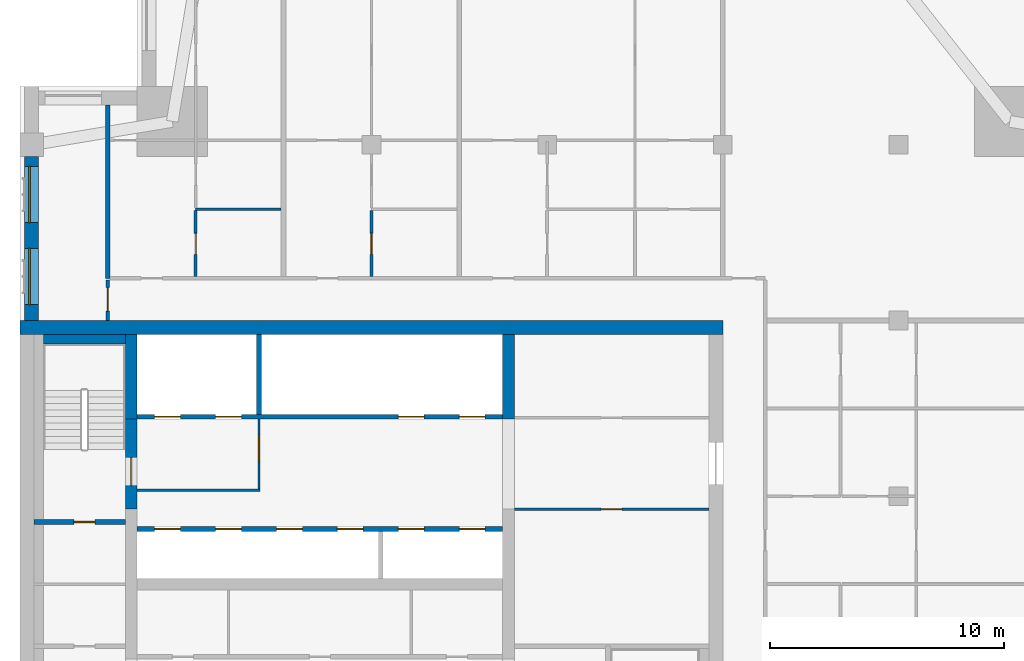
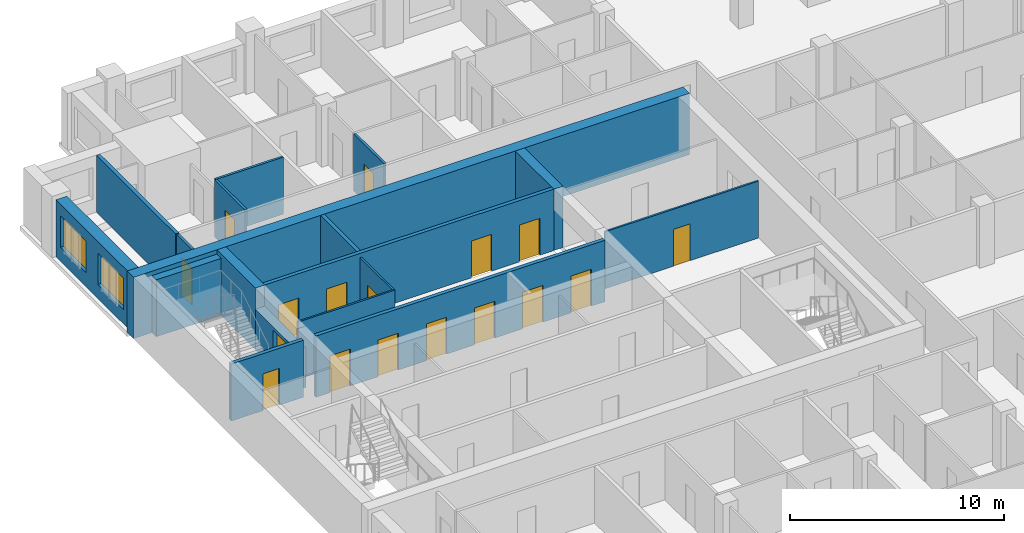
# One storey, part 6 of 11: 18 walls, 17 doors, 2 windows, 19 openings.
"""IFC4 building model written with IfcOpenShell, lengths in metres."""

import ifcopenshell
import ifcopenshell.guid

model = None  # the IFC model being written
_history = None  # IfcOwnerHistory: only IFC2X3 demands one
_inside = {}  # id of a spatial element -> (the spatial element, [elements in it])
_under = {}  # id of a project, library or spatial element -> (it, [spatial elements below it])
_declared = {}  # id of a project -> (the project, [libraries it declares])
_typed = {}  # id of a type object -> (the type object, [elements of that type])
_made_of = {}  # id of a material, layer set ... -> (it, [elements and type objects made of it])


def new_model(schema):
    """Start an empty IFC model of exactly this schema.

    Asked for "IFC4X3", IfcOpenShell would pick the latest addendum, in which some entities
    have other attributes; the version numbers below select the first issue.
    IFC2X3 requires an IfcOwnerHistory on every rooted entity: one is made here for all.
    """
    global model, _history
    if schema == "IFC4X3":
        model = ifcopenshell.file(schema_version=(4, 3, 0, 0))
    else:
        model = ifcopenshell.file(schema=schema)
    _inside.clear()
    _under.clear()
    _declared.clear()
    _typed.clear()
    _made_of.clear()
    _history = None
    if model.schema == "IFC2X3":
        org = make("IfcOrganization", Name="unknown")
        user = make(
            "IfcPersonAndOrganization",
            ThePerson=make("IfcPerson", FamilyName="unknown"),
            TheOrganization=org,
        )
        app = make(
            "IfcApplication",
            ApplicationDeveloper=org,
            Version="unknown",
            ApplicationFullName="unknown",
            ApplicationIdentifier="unknown",
        )
        _history = make(
            "IfcOwnerHistory",
            OwningUser=user,
            OwningApplication=app,
            ChangeAction="ADDED",
            CreationDate=0,
        )
    return model


def make(cls, **values):
    """One entity of the class cls with the attributes given. An attribute that is None is left unset."""
    return model.create_entity(
        cls, **{name: value for name, value in values.items() if value is not None}
    )


def rooted(cls, **values):
    """An entity with a GlobalId (a new one), such as an element, a storey or a relation."""
    return make(cls, GlobalId=ifcopenshell.guid.new(), OwnerHistory=_history, **values)


def si_unit(unit_type, name, prefix=None):
    """IfcSIUnit, for example si_unit("LENGTHUNIT", "METRE", prefix="MILLI")."""
    return make("IfcSIUnit", UnitType=unit_type, Prefix=prefix, Name=name)


def assignment(units):
    """IfcUnitAssignment: the units of a project."""
    return None if units is None else make("IfcUnitAssignment", Units=units)


def point(xyz):
    """IfcCartesianPoint."""
    return None if xyz is None else make("IfcCartesianPoint", Coordinates=xyz)


def direction(xyz):
    """IfcDirection."""
    return None if xyz is None else make("IfcDirection", DirectionRatios=xyz)


def frame(location, z_axis=None, x_axis=None):
    """IfcAxis2Placement3D, a coordinate frame: its origin and axes. An axis left out is left unset."""
    return make(
        "IfcAxis2Placement3D",
        Location=point(location),
        Axis=direction(z_axis),
        RefDirection=direction(x_axis),
    )


def frame_2d(location, x_axis=None):
    """IfcAxis2Placement2D, a coordinate frame in the plane: its origin and x axis."""
    return make(
        "IfcAxis2Placement2D", Location=point(location), RefDirection=direction(x_axis)
    )


def origin():
    """The frame at (0, 0, 0) with its axes left unset."""
    return frame((0.0, 0.0, 0.0))


def place(relative_to, where):
    """IfcLocalPlacement: puts the frame where relative to a parent placement (None: the world)."""
    return make(
        "IfcLocalPlacement", PlacementRelTo=relative_to, RelativePlacement=where
    )


def context(
    kind, dimensions, precision=None, world=None, true_north=None, identifier=None
):
    """IfcGeometricRepresentationContext, for example the 3D "Model" context."""
    return make(
        "IfcGeometricRepresentationContext",
        ContextIdentifier=identifier,
        ContextType=kind,
        CoordinateSpaceDimension=dimensions,
        Precision=precision,
        WorldCoordinateSystem=world,
        TrueNorth=true_north,
    )


def subcontext(parent, identifier, kind, view, scale=None):
    """IfcGeometricRepresentationSubContext, for example "Body" below "Model"."""
    return make(
        "IfcGeometricRepresentationSubContext",
        ContextIdentifier=identifier,
        ContextType=kind,
        ParentContext=parent,
        TargetScale=scale,
        TargetView=view,
    )


def project(units=None, contexts=None):
    """IfcProject with its units and contexts."""
    return rooted(
        "IfcProject",
        Name="project",
        RepresentationContexts=contexts,
        UnitsInContext=assignment(units),
    )


def spatial(cls, under=None, at=None, **own):
    """A site, building, storey or space (cls), placed at a placement, below another one or the project."""
    s = rooted(cls, ObjectPlacement=at, **own)
    if under is not None:
        _under.setdefault(under.id(), (under, []))[1].append(s)
    return s


def profile(cls, at=None, kind="AREA", **sizes):
    """A parametric profile (cls). Its sizes go by their IFC names, for example OverallWidth=200.0."""
    return make(cls, ProfileType=kind, Position=at, **sizes)


def rectangle(**sizes):
    """IfcRectangleProfileDef."""
    return profile("IfcRectangleProfileDef", **sizes)


def extrude(swept, where, along, depth):
    """IfcExtrudedAreaSolid: the profile swept, set in the frame where, extruded along a direction by depth."""
    return make(
        "IfcExtrudedAreaSolid",
        SweptArea=swept,
        Position=where,
        ExtrudedDirection=direction(along),
        Depth=depth,
    )


def shape(context_of_items, identifier, shape_type, items):
    """IfcShapeRepresentation: the items that make up one representation, for example the "Body"."""
    return make(
        "IfcShapeRepresentation",
        ContextOfItems=context_of_items,
        RepresentationIdentifier=identifier,
        RepresentationType=shape_type,
        Items=items,
    )


def material(Name=None, Category=None):
    """IfcMaterial."""
    return make("IfcMaterial", Name=Name, Category=Category)


def layer(
    of_material, thickness, ventilated=None, Name=None, Category=None, Priority=None
):
    """IfcMaterialLayer: one layer of a wall or slab, of a material (None: an air gap)."""
    return make(
        "IfcMaterialLayer",
        Material=of_material,
        LayerThickness=thickness,
        IsVentilated=ventilated,
        Name=Name,
        Category=Category,
        Priority=Priority,
    )


def layer_set(layers, Name=None):
    """IfcMaterialLayerSet."""
    return make("IfcMaterialLayerSet", MaterialLayers=layers, LayerSetName=Name)


def made_of(thing, what):
    """Note that an element or type object is made of a material, layer set ...; save() writes the relation."""
    if what is not None:
        _made_of.setdefault(what.id(), (what, []))[1].append(thing)
    return thing


def type_object(cls, material=None, **own):
    """A type object (cls), such as IfcWallType, which elements share."""
    return made_of(rooted(cls, **own), material)


def element(
    cls,
    number,
    at=None,
    inside=None,
    cuts=None,
    type_object=None,
    material=None,
    context=None,
    identifier="Body",
    shape_type=None,
    held_by="IfcProductDefinitionShape",
    body=None,
    shapes=None,
    **own,
):
    """One element of the class cls, such as IfcWall. Its Tag is "e" and its number.

    at: its placement. inside: the storey or other place that contains it. cuts: it is an
    opening in that element (IfcRelVoidsElement). A single representation is given by context,
    identifier, shape_type and body (its items); several are given by shapes. held_by: the class
    of the entity that holds the representations. save() writes the other relations.
    """
    e = rooted(cls, Tag="e%d" % number, ObjectPlacement=at, **own)
    if body is not None:
        shapes = [shape(context, identifier, shape_type, body)]
    if shapes is not None:
        e.Representation = make(held_by, Representations=shapes)
    if inside is not None:
        _inside.setdefault(inside.id(), (inside, []))[1].append(e)
    if cuts is not None:
        rooted(
            "IfcRelVoidsElement", RelatingBuildingElement=cuts, RelatedOpeningElement=e
        )
    if type_object is not None:
        _typed.setdefault(type_object.id(), (type_object, []))[1].append(e)
    return made_of(e, material)


def fill(opening, filler):
    """IfcRelFillsElement: the door or window that sits in an opening."""
    return rooted(
        "IfcRelFillsElement",
        RelatingOpeningElement=opening,
        RelatedBuildingElement=filler,
    )


def aggregate(whole, parts):
    """IfcRelAggregates: a whole, such as a stair, and the parts it consists of."""
    return rooted("IfcRelAggregates", RelatingObject=whole, RelatedObjects=parts)


def save(model, path):
    """Write the relations noted so far, then the file.

    IfcRelAggregates (storeys below a building ...), IfcRelContainedInSpatialStructure (elements
    in a storey), IfcRelDefinesByType, IfcRelAssociatesMaterial and IfcRelDeclares: one each for
    every whole, place, type object, material and project.
    """
    for whole, parts in _under.values():
        aggregate(whole, parts)
    for where, things in _inside.values():
        rooted(
            "IfcRelContainedInSpatialStructure",
            RelatedElements=things,
            RelatingStructure=where,
        )
    for kind, things in _typed.values():
        rooted("IfcRelDefinesByType", RelatedObjects=things, RelatingType=kind)
    for what, things in _made_of.values():
        rooted("IfcRelAssociatesMaterial", RelatedObjects=things, RelatingMaterial=what)
    for by, libraries in _declared.values():
        rooted("IfcRelDeclares", RelatingContext=by, RelatedDefinitions=libraries)
    model.write(path)


model = new_model("IFC4")

# Units and contexts
model_context = context("Model", 3, precision=1e-05, world=origin(), true_north=direction((0.0, 1.0)))
body_context = subcontext(model_context, "Body", "Model", "MODEL_VIEW")
ifc_project = project(units=[si_unit("LENGTHUNIT", "METRE"), si_unit("AREAUNIT", "SQUARE_METRE"), si_unit("VOLUMEUNIT", "CUBIC_METRE"), si_unit("PLANEANGLEUNIT", "RADIAN"), si_unit("MASSUNIT", "GRAM", prefix="KILO")], contexts=[model_context])

# Site, building, storey
site_placement = place(None, origin())
site = spatial("IfcSite", under=ifc_project, at=site_placement, CompositionType="ELEMENT")
building_placement = place(site_placement, origin())
building = spatial("IfcBuilding", under=site, at=building_placement, Name="Tamorin Gate", CompositionType="ELEMENT")
storey_placement = place(building_placement, frame((0.0, 0.0, 247.699951171875)))
storey = spatial("IfcBuildingStorey", under=building, at=storey_placement, Name="L62", CompositionType="ELEMENT", Elevation=247.699951171875)

# Wall, openings, windows
ifc_material_1 = material(Name="Precast concrete C40/50", Category="concrete")
ifc_layer_1 = layer(ifc_material_1, 0.60009765625)
ifc_layer_set_1 = layer_set([ifc_layer_1], Name="Precast concrete C40/50")
wall_type_1 = type_object("IfcWallType", Name="Board-marked concrete facade panel 600", PredefinedType="SOLIDWALL", material=ifc_layer_set_1)
wall_1_placement = place(storey_placement, frame((30.5, 89.5, 0.0), z_axis=(0.0, 0.0, 1.0), x_axis=(0.0, -1.0, 0.0)))
wall_1 = element("IfcWall", 1, at=wall_1_placement, inside=storey, type_object=wall_type_1, Name="Facade panel", PredefinedType="SOLIDWALL", context=body_context, shape_type="SweptSolid", body=[
    extrude(rectangle(XDim=7.0, YDim=0.60009765625, at=frame_2d((3.5, 0.0))), origin(), (0.0, 0.0, 1.0), 3.25),
])
opening_1_placement = place(wall_1_placement, frame((3.925048828125, 0.0, 0.800048828125)))
opening_1 = element("IfcOpeningElement", 2, at=opening_1_placement, cuts=wall_1, Name="Opening WN1", PredefinedType="OPENING", context=body_context, shape_type="SweptSolid", body=[
    extrude(rectangle(XDim=2.39990234375, YDim=1.800048828125, at=frame_2d((1.199951171875, 0.89990234375))), frame((0.0, 0.31005859375, 0.0), z_axis=(0.0, -1.0, 0.0), x_axis=(1.0, 0.0, 0.0)), (0.0, 0.0, 1.0), 0.6201171875),
])
opening_2_placement = place(wall_1_placement, frame((0.425048828125, 0.0, 0.800048828125)))
opening_2 = element("IfcOpeningElement", 3, at=opening_2_placement, cuts=wall_1, Name="Opening WN1", PredefinedType="OPENING", context=body_context, shape_type="SweptSolid", body=[
    extrude(rectangle(XDim=2.39990234375, YDim=1.800048828125, at=frame_2d((1.199951171875, 0.89990234375))), frame((0.0, 0.31005859375, 0.0), z_axis=(0.0, -1.0, 0.0), x_axis=(1.0, 0.0, 0.0)), (0.0, 0.0, 1.0), 0.6201171875),
])
ifc_material_2 = material(Name="Clear glass in aluminium frame", Category="aluminium")
window_type = type_object("IfcWindowType", Name="Deep-set window 2400x1800", PartitioningType="SINGLE_PANEL", PredefinedType="WINDOW", material=ifc_material_2)
window_1_placement = place(opening_1_placement, origin())
window_1 = element("IfcWindow", 4, at=window_1_placement, inside=storey, type_object=window_type, Name="Deep-set window", OverallHeight=1.800048828125, OverallWidth=2.39990234375, PartitioningType="SINGLE_PANEL", PredefinedType="WINDOW", context=body_context, shape_type="SweptSolid", body=[
    extrude(rectangle(XDim=2.39990234375, YDim=1.800048828125, at=frame_2d((1.199951171875, 0.89990234375))), frame((0.0, -0.070068359375, 0.0), z_axis=(0.0, -1.0, 0.0), x_axis=(1.0, 0.0, 0.0)), (0.0, 0.0, 1.0), 0.06005859375),
])
fill(opening_1, window_1)
window_2_placement = place(opening_2_placement, origin())
window_2 = element("IfcWindow", 5, at=window_2_placement, inside=storey, type_object=window_type, Name="Deep-set window", OverallHeight=1.800048828125, OverallWidth=2.39990234375, PartitioningType="SINGLE_PANEL", PredefinedType="WINDOW", context=body_context, shape_type="SweptSolid", body=[
    extrude(rectangle(XDim=2.39990234375, YDim=1.800048828125, at=frame_2d((1.199951171875, 0.89990234375))), frame((0.0, -0.070068359375, 0.0), z_axis=(0.0, -1.0, 0.0), x_axis=(1.0, 0.0, 0.0)), (0.0, 0.0, 1.0), 0.06005859375),
])
fill(opening_2, window_2)

# Wall, opening, door
ifc_material_3 = material(Name="Gypsum board partition")
ifc_layer_2 = layer(ifc_material_3, 0.14990234375)
ifc_layer_set_2 = layer_set([ifc_layer_2], Name="Corridor wall 150")
wall_type_2 = type_object("IfcWallType", Name="Corridor wall 150", PredefinedType="PARTITIONING", material=ifc_layer_set_2)
wall_2_placement = place(storey_placement, frame((33.75, 82.5, 0.0), z_axis=(0.0, 0.0, 1.0), x_axis=(0.0, 1.0, 0.0)))
wall_2 = element("IfcWall", 6, at=wall_2_placement, inside=storey, type_object=wall_type_2, Name="Corridor wall 150", PredefinedType="PARTITIONING", context=body_context, shape_type="SweptSolid", body=[
    extrude(rectangle(XDim=1.72509765625, YDim=0.14990234375, at=frame_2d((0.862548828125, 0.0))), origin(), (0.0, 0.0, 1.0), 3.25),
])
opening_3_placement = place(wall_2_placement, frame((0.39990234375, 0.0, 0.0)))
opening_3 = element("IfcOpeningElement", 7, at=opening_3_placement, cuts=wall_2, Name="Opening DR8026", PredefinedType="OPENING", context=body_context, shape_type="SweptSolid", body=[
    extrude(rectangle(XDim=1.0, YDim=2.10009765625, at=frame_2d((0.5, 1.050048828125))), frame((0.0, 0.0849609375, 0.0), z_axis=(0.0, -1.0, 0.0), x_axis=(1.0, 0.0, 0.0)), (0.0, 0.0, 1.0), 0.169921875),
])
ifc_material_4 = material(Name="Timber door leaf", Category="wood")
door_type_1 = type_object("IfcDoorType", Name="Door 1000 x 2100 FD30S", OperationType="NOTDEFINED", PredefinedType="DOOR", material=ifc_material_4)
door_1_placement = place(opening_3_placement, origin())
door_1 = element("IfcDoor", 8, at=door_1_placement, inside=storey, type_object=door_type_1, Name="Door DR8026", OperationType="SINGLE_SWING_LEFT", OverallHeight=2.10009765625, OverallWidth=1.0, PredefinedType="DOOR", context=body_context, shape_type="SweptSolid", body=[
    extrude(rectangle(XDim=1.0, YDim=2.10009765625, at=frame_2d((0.5, 1.050048828125))), frame((0.0, 0.02490234375, 0.0), z_axis=(0.0, -1.0, 0.0), x_axis=(1.0, 0.0, 0.0)), (0.0, 0.0, 1.0), 0.050048828125),
])
fill(opening_3, door_1)

# Wall
ifc_layer_3 = layer(ifc_material_3, 0.199951171875)
ifc_layer_set_3 = layer_set([ifc_layer_3], Name="Demising wall 200")
wall_type_3 = type_object("IfcWallType", Name="Demising wall 200", PredefinedType="PARTITIONING", material=ifc_layer_set_3)
wall_3_placement = place(storey_placement, frame((33.75, 84.300048828125, 0.0), z_axis=(0.0, 0.0, 1.0), x_axis=(0.0, 1.0, 0.0)))
element("IfcWall", 9, at=wall_3_placement, inside=storey, type_object=wall_type_3, Name="Demising wall 200", PredefinedType="PARTITIONING", context=body_context, shape_type="SweptSolid", body=[
    extrude(rectangle(XDim=7.389892578125, YDim=0.199951171875, at=frame_2d((3.69482421875, 0.0))), origin(), (0.0, 0.0, 1.0), 3.25),
])

# Wall, openings, doors
ifc_material_5 = material(Name="Concrete C32/40", Category="concrete")
ifc_layer_4 = layer(ifc_material_5, 0.199951171875)
ifc_layer_set_4 = layer_set([ifc_layer_4], Name="Lift lobby face wall 200 EI 120")
wall_type_4 = type_object("IfcWallType", Name="Lift lobby face wall 200 EI 120", PredefinedType="SOLIDWALL", material=ifc_layer_set_4)
wall_4_placement = place(storey_placement, frame((35.0, 73.60009765625, 0.0), z_axis=(0.0, 0.0, 1.0), x_axis=(1.0, 0.0, 0.0)))
wall_4 = element("IfcWall", 10, at=wall_4_placement, inside=storey, type_object=wall_type_4, Name="Lift lobby face wall", PredefinedType="SOLIDWALL", context=body_context, shape_type="SweptSolid", body=[
    extrude(rectangle(XDim=15.60009765625, YDim=0.199951171875, at=frame_2d((7.800048828125, 0.0))), origin(), (0.0, 0.0, 1.0), 3.5),
])
opening_4_placement = place(wall_4_placement, frame((0.75, 0.0, 0.0)))
opening_4 = element("IfcOpeningElement", 11, at=opening_4_placement, cuts=wall_4, Name="Opening LD11", PredefinedType="OPENING", context=body_context, shape_type="SweptSolid", body=[
    extrude(rectangle(XDim=1.10009765625, YDim=2.10009765625, at=frame_2d((0.550048828125, 1.050048828125))), frame((0.0, 0.10986328125, 0.0), z_axis=(0.0, -1.0, 0.0), x_axis=(1.0, 0.0, 0.0)), (0.0, 0.0, 1.0), 0.219970703125),
])
opening_5_placement = place(wall_4_placement, frame((3.35009765625, 0.0, 0.0)))
opening_5 = element("IfcOpeningElement", 12, at=opening_5_placement, cuts=wall_4, Name="Opening LD12", PredefinedType="OPENING", context=body_context, shape_type="SweptSolid", body=[
    extrude(rectangle(XDim=1.10009765625, YDim=2.10009765625, at=frame_2d((0.550048828125, 1.050048828125))), frame((0.0, 0.10986328125, 0.0), z_axis=(0.0, -1.0, 0.0), x_axis=(1.0, 0.0, 0.0)), (0.0, 0.0, 1.0), 0.219970703125),
])
opening_6_placement = place(wall_4_placement, frame((5.949951171875, 0.0, 0.0)))
opening_6 = element("IfcOpeningElement", 13, at=opening_6_placement, cuts=wall_4, Name="Opening LD13", PredefinedType="OPENING", context=body_context, shape_type="SweptSolid", body=[
    extrude(rectangle(XDim=1.10009765625, YDim=2.10009765625, at=frame_2d((0.550048828125, 1.050048828125))), frame((0.0, 0.10986328125, 0.0), z_axis=(0.0, -1.0, 0.0), x_axis=(1.0, 0.0, 0.0)), (0.0, 0.0, 1.0), 0.219970703125),
])
opening_7_placement = place(wall_4_placement, frame((8.550048828125, 0.0, 0.0)))
opening_7 = element("IfcOpeningElement", 14, at=opening_7_placement, cuts=wall_4, Name="Opening LD14", PredefinedType="OPENING", context=body_context, shape_type="SweptSolid", body=[
    extrude(rectangle(XDim=1.10009765625, YDim=2.10009765625, at=frame_2d((0.550048828125, 1.050048828125))), frame((0.0, 0.10986328125, 0.0), z_axis=(0.0, -1.0, 0.0), x_axis=(1.0, 0.0, 0.0)), (0.0, 0.0, 1.0), 0.219970703125),
])
opening_8_placement = place(wall_4_placement, frame((11.14990234375, 0.0, 0.0)))
opening_8 = element("IfcOpeningElement", 15, at=opening_8_placement, cuts=wall_4, Name="Opening LD15", PredefinedType="OPENING", context=body_context, shape_type="SweptSolid", body=[
    extrude(rectangle(XDim=1.10009765625, YDim=2.10009765625, at=frame_2d((0.550048828125, 1.050048828125))), frame((0.0, 0.10986328125, 0.0), z_axis=(0.0, -1.0, 0.0), x_axis=(1.0, 0.0, 0.0)), (0.0, 0.0, 1.0), 0.219970703125),
])
opening_9_placement = place(wall_4_placement, frame((13.75, 0.0, 0.0)))
opening_9 = element("IfcOpeningElement", 16, at=opening_9_placement, cuts=wall_4, Name="Opening LD16", PredefinedType="OPENING", context=body_context, shape_type="SweptSolid", body=[
    extrude(rectangle(XDim=1.10009765625, YDim=2.10009765625, at=frame_2d((0.550048828125, 1.050048828125))), frame((0.0, 0.10986328125, 0.0), z_axis=(0.0, -1.0, 0.0), x_axis=(1.0, 0.0, 0.0)), (0.0, 0.0, 1.0), 0.219970703125),
])
ifc_material_6 = material(Name="Stainless steel sliding door", Category="steel")
door_type_2 = type_object("IfcDoorType", Name="Lift landing door 1100 x 2100 E 90", OperationType="DOUBLE_DOOR_SLIDING", PredefinedType="DOOR", material=ifc_material_6)
door_2_placement = place(opening_4_placement, origin())
door_2 = element("IfcDoor", 17, at=door_2_placement, inside=storey, type_object=door_type_2, Name="HR1 landing door", OperationType="DOUBLE_DOOR_SLIDING", OverallHeight=2.10009765625, OverallWidth=1.10009765625, PredefinedType="DOOR", context=body_context, shape_type="SweptSolid", body=[
    extrude(rectangle(XDim=1.10009765625, YDim=2.10009765625, at=frame_2d((0.550048828125, 1.050048828125))), frame((0.0, 0.02490234375, 0.0), z_axis=(0.0, -1.0, 0.0), x_axis=(1.0, 0.0, 0.0)), (0.0, 0.0, 1.0), 0.050048828125),
])
fill(opening_4, door_2)
door_3_placement = place(opening_5_placement, origin())
door_3 = element("IfcDoor", 18, at=door_3_placement, inside=storey, type_object=door_type_2, Name="HR2 landing door", OperationType="DOUBLE_DOOR_SLIDING", OverallHeight=2.10009765625, OverallWidth=1.10009765625, PredefinedType="DOOR", context=body_context, shape_type="SweptSolid", body=[
    extrude(rectangle(XDim=1.10009765625, YDim=2.10009765625, at=frame_2d((0.550048828125, 1.050048828125))), frame((0.0, 0.02490234375, 0.0), z_axis=(0.0, -1.0, 0.0), x_axis=(1.0, 0.0, 0.0)), (0.0, 0.0, 1.0), 0.050048828125),
])
fill(opening_5, door_3)
door_4_placement = place(opening_6_placement, origin())
door_4 = element("IfcDoor", 19, at=door_4_placement, inside=storey, type_object=door_type_2, Name="HR3 landing door", OperationType="DOUBLE_DOOR_SLIDING", OverallHeight=2.10009765625, OverallWidth=1.10009765625, PredefinedType="DOOR", context=body_context, shape_type="SweptSolid", body=[
    extrude(rectangle(XDim=1.10009765625, YDim=2.10009765625, at=frame_2d((0.550048828125, 1.050048828125))), frame((0.0, 0.02490234375, 0.0), z_axis=(0.0, -1.0, 0.0), x_axis=(1.0, 0.0, 0.0)), (0.0, 0.0, 1.0), 0.050048828125),
])
fill(opening_6, door_4)
door_5_placement = place(opening_7_placement, origin())
door_5 = element("IfcDoor", 20, at=door_5_placement, inside=storey, type_object=door_type_2, Name="HR4 landing door", OperationType="DOUBLE_DOOR_SLIDING", OverallHeight=2.10009765625, OverallWidth=1.10009765625, PredefinedType="DOOR", context=body_context, shape_type="SweptSolid", body=[
    extrude(rectangle(XDim=1.10009765625, YDim=2.10009765625, at=frame_2d((0.550048828125, 1.050048828125))), frame((0.0, 0.02490234375, 0.0), z_axis=(0.0, -1.0, 0.0), x_axis=(1.0, 0.0, 0.0)), (0.0, 0.0, 1.0), 0.050048828125),
])
fill(opening_7, door_5)
door_6_placement = place(opening_8_placement, origin())
door_6 = element("IfcDoor", 21, at=door_6_placement, inside=storey, type_object=door_type_2, Name="HR5 landing door", OperationType="DOUBLE_DOOR_SLIDING", OverallHeight=2.10009765625, OverallWidth=1.10009765625, PredefinedType="DOOR", context=body_context, shape_type="SweptSolid", body=[
    extrude(rectangle(XDim=1.10009765625, YDim=2.10009765625, at=frame_2d((0.550048828125, 1.050048828125))), frame((0.0, 0.02490234375, 0.0), z_axis=(0.0, -1.0, 0.0), x_axis=(1.0, 0.0, 0.0)), (0.0, 0.0, 1.0), 0.050048828125),
])
fill(opening_8, door_6)
door_7_placement = place(opening_9_placement, origin())
door_7 = element("IfcDoor", 22, at=door_7_placement, inside=storey, type_object=door_type_2, Name="HR6 landing door", OperationType="DOUBLE_DOOR_SLIDING", OverallHeight=2.10009765625, OverallWidth=1.10009765625, PredefinedType="DOOR", context=body_context, shape_type="SweptSolid", body=[
    extrude(rectangle(XDim=1.10009765625, YDim=2.10009765625, at=frame_2d((0.550048828125, 1.050048828125))), frame((0.0, 0.02490234375, 0.0), z_axis=(0.0, -1.0, 0.0), x_axis=(1.0, 0.0, 0.0)), (0.0, 0.0, 1.0), 0.050048828125),
])
fill(opening_9, door_7)

wall_5_placement = place(storey_placement, frame((35.0, 78.39990234375, 0.0), z_axis=(0.0, 0.0, 1.0), x_axis=(1.0, 0.0, 0.0)))
wall_5 = element("IfcWall", 23, at=wall_5_placement, inside=storey, type_object=wall_type_4, Name="Lift lobby face wall", PredefinedType="SOLIDWALL", context=body_context, shape_type="SweptSolid", body=[
    extrude(rectangle(XDim=15.60009765625, YDim=0.199951171875, at=frame_2d((7.800048828125, 0.0))), origin(), (0.0, 0.0, 1.0), 3.5),
])
opening_10_placement = place(wall_5_placement, frame((0.75, 0.0, 0.0)))
opening_10 = element("IfcOpeningElement", 24, at=opening_10_placement, cuts=wall_5, Name="Opening LD17", PredefinedType="OPENING", context=body_context, shape_type="SweptSolid", body=[
    extrude(rectangle(XDim=1.10009765625, YDim=2.10009765625, at=frame_2d((0.550048828125, 1.050048828125))), frame((0.0, 0.10986328125, 0.0), z_axis=(0.0, -1.0, 0.0), x_axis=(1.0, 0.0, 0.0)), (0.0, 0.0, 1.0), 0.219970703125),
])
opening_11_placement = place(wall_5_placement, frame((3.35009765625, 0.0, 0.0)))
opening_11 = element("IfcOpeningElement", 25, at=opening_11_placement, cuts=wall_5, Name="Opening LD18", PredefinedType="OPENING", context=body_context, shape_type="SweptSolid", body=[
    extrude(rectangle(XDim=1.10009765625, YDim=2.10009765625, at=frame_2d((0.550048828125, 1.050048828125))), frame((0.0, 0.10986328125, 0.0), z_axis=(0.0, -1.0, 0.0), x_axis=(1.0, 0.0, 0.0)), (0.0, 0.0, 1.0), 0.219970703125),
])
opening_12_placement = place(wall_5_placement, frame((11.14990234375, 0.0, 0.0)))
opening_12 = element("IfcOpeningElement", 26, at=opening_12_placement, cuts=wall_5, Name="Opening LD21", PredefinedType="OPENING", context=body_context, shape_type="SweptSolid", body=[
    extrude(rectangle(XDim=1.10009765625, YDim=2.10009765625, at=frame_2d((0.550048828125, 1.050048828125))), frame((0.0, 0.10986328125, 0.0), z_axis=(0.0, -1.0, 0.0), x_axis=(1.0, 0.0, 0.0)), (0.0, 0.0, 1.0), 0.219970703125),
])
opening_13_placement = place(wall_5_placement, frame((13.75, 0.0, 0.0)))
opening_13 = element("IfcOpeningElement", 27, at=opening_13_placement, cuts=wall_5, Name="Opening LD22", PredefinedType="OPENING", context=body_context, shape_type="SweptSolid", body=[
    extrude(rectangle(XDim=1.10009765625, YDim=2.10009765625, at=frame_2d((0.550048828125, 1.050048828125))), frame((0.0, 0.10986328125, 0.0), z_axis=(0.0, -1.0, 0.0), x_axis=(1.0, 0.0, 0.0)), (0.0, 0.0, 1.0), 0.219970703125),
])
door_8_placement = place(opening_10_placement, origin())
door_8 = element("IfcDoor", 28, at=door_8_placement, inside=storey, type_object=door_type_2, Name="FF1 landing door", OperationType="DOUBLE_DOOR_SLIDING", OverallHeight=2.10009765625, OverallWidth=1.10009765625, PredefinedType="DOOR", context=body_context, shape_type="SweptSolid", body=[
    extrude(rectangle(XDim=1.10009765625, YDim=2.10009765625, at=frame_2d((0.550048828125, 1.050048828125))), frame((0.0, 0.02490234375, 0.0), z_axis=(0.0, -1.0, 0.0), x_axis=(1.0, 0.0, 0.0)), (0.0, 0.0, 1.0), 0.050048828125),
])
fill(opening_10, door_8)
door_9_placement = place(opening_11_placement, origin())
door_9 = element("IfcDoor", 29, at=door_9_placement, inside=storey, type_object=door_type_2, Name="FF2 landing door", OperationType="DOUBLE_DOOR_SLIDING", OverallHeight=2.10009765625, OverallWidth=1.10009765625, PredefinedType="DOOR", context=body_context, shape_type="SweptSolid", body=[
    extrude(rectangle(XDim=1.10009765625, YDim=2.10009765625, at=frame_2d((0.550048828125, 1.050048828125))), frame((0.0, 0.02490234375, 0.0), z_axis=(0.0, -1.0, 0.0), x_axis=(1.0, 0.0, 0.0)), (0.0, 0.0, 1.0), 0.050048828125),
])
fill(opening_11, door_9)
door_10_placement = place(opening_12_placement, origin())
door_10 = element("IfcDoor", 30, at=door_10_placement, inside=storey, type_object=door_type_2, Name="SV1 landing door", OperationType="DOUBLE_DOOR_SLIDING", OverallHeight=2.10009765625, OverallWidth=1.10009765625, PredefinedType="DOOR", context=body_context, shape_type="SweptSolid", body=[
    extrude(rectangle(XDim=1.10009765625, YDim=2.10009765625, at=frame_2d((0.550048828125, 1.050048828125))), frame((0.0, 0.02490234375, 0.0), z_axis=(0.0, -1.0, 0.0), x_axis=(1.0, 0.0, 0.0)), (0.0, 0.0, 1.0), 0.050048828125),
])
fill(opening_12, door_10)
door_11_placement = place(opening_13_placement, origin())
door_11 = element("IfcDoor", 31, at=door_11_placement, inside=storey, type_object=door_type_2, Name="SV2 landing door", OperationType="DOUBLE_DOOR_SLIDING", OverallHeight=2.10009765625, OverallWidth=1.10009765625, PredefinedType="DOOR", context=body_context, shape_type="SweptSolid", body=[
    extrude(rectangle(XDim=1.10009765625, YDim=2.10009765625, at=frame_2d((0.550048828125, 1.050048828125))), frame((0.0, 0.02490234375, 0.0), z_axis=(0.0, -1.0, 0.0), x_axis=(1.0, 0.0, 0.0)), (0.0, 0.0, 1.0), 0.050048828125),
])
fill(opening_13, door_11)

# Walls
ifc_layer_5 = layer(ifc_material_5, 0.199951171875)
ifc_layer_set_5 = layer_set([ifc_layer_5], Name="Lift shaft wall 200 EI 120")
wall_type_5 = type_object("IfcWallType", Name="Lift shaft wall 200 EI 120", PredefinedType="SOLIDWALL", material=ifc_layer_set_5)
wall_6_placement = place(storey_placement, frame((40.199951171875, 78.5, 0.0), z_axis=(0.0, 0.0, 1.0), x_axis=(0.0, 1.0, 0.0)))
element("IfcWall", 32, at=wall_6_placement, inside=storey, type_object=wall_type_5, Name="Lift shaft wall", PredefinedType="SOLIDWALL", context=body_context, shape_type="SweptSolid", body=[
    extrude(rectangle(XDim=3.39990234375, YDim=0.199951171875, at=frame_2d((1.699951171875, 0.0))), origin(), (0.0, 0.0, 1.0), 3.5),
])
ifc_material_7 = material(Name="Fire-rated gypsum board partition")
ifc_layer_6 = layer(ifc_material_7, 0.10009765625)
ifc_layer_set_6 = layer_set([ifc_layer_6], Name="Lobby wall 100 EI 60")
wall_type_6 = type_object("IfcWallType", Name="Lobby wall 100 EI 60", PredefinedType="PARTITIONING", material=ifc_layer_set_6)
wall_7_placement = place(storey_placement, frame((35.0, 75.25, 0.0), z_axis=(0.0, 0.0, 1.0), x_axis=(1.0, 0.0, 0.0)))
element("IfcWall", 33, at=wall_7_placement, inside=storey, type_object=wall_type_6, Name="Firefighting lobby wall", PredefinedType="PARTITIONING", context=body_context, shape_type="SweptSolid", body=[
    extrude(rectangle(XDim=5.25, YDim=0.10009765625, at=frame_2d((2.625, 0.0))), origin(), (0.0, 0.0, 1.0), 3.25),
])

# Wall, opening, door
wall_8_placement = place(storey_placement, frame((40.199951171875, 75.300048828125, 0.0), z_axis=(0.0, 0.0, 1.0), x_axis=(0.0, 1.0, 0.0)))
wall_8 = element("IfcWall", 34, at=wall_8_placement, inside=storey, type_object=wall_type_6, Name="Firefighting lobby wall", PredefinedType="PARTITIONING", context=body_context, shape_type="SweptSolid", body=[
    extrude(rectangle(XDim=3.0, YDim=0.10009765625, at=frame_2d((1.5, 0.0))), origin(), (0.0, 0.0, 1.0), 3.25),
])
opening_14_placement = place(wall_8_placement, frame((1.199951171875, 0.0, 0.0)))
opening_14 = element("IfcOpeningElement", 35, at=opening_14_placement, cuts=wall_8, Name="Opening DF1", PredefinedType="OPENING", context=body_context, shape_type="SweptSolid", body=[
    extrude(rectangle(XDim=1.10009765625, YDim=2.10009765625, at=frame_2d((0.550048828125, 1.050048828125))), frame((0.0, 0.06005859375, 0.0), z_axis=(0.0, -1.0, 0.0), x_axis=(1.0, 0.0, 0.0)), (0.0, 0.0, 1.0), 0.1201171875),
])
ifc_material_8 = material(Name="Steel fire door", Category="steel")
door_type_3 = type_object("IfcDoorType", Name="Firefighting lobby door 1100 x 2100 EI 90", OperationType="SINGLE_SWING_LEFT", PredefinedType="DOOR", material=ifc_material_8)
door_12_placement = place(opening_14_placement, origin())
door_12 = element("IfcDoor", 36, at=door_12_placement, inside=storey, type_object=door_type_3, Name="Firefighting lobby door", OperationType="SINGLE_SWING_LEFT", OverallHeight=2.10009765625, OverallWidth=1.10009765625, PredefinedType="DOOR", context=body_context, shape_type="SweptSolid", body=[
    extrude(rectangle(XDim=1.10009765625, YDim=2.10009765625, at=frame_2d((0.550048828125, 1.050048828125))), frame((0.0, 0.02490234375, 0.0), z_axis=(0.0, -1.0, 0.0), x_axis=(1.0, 0.0, 0.0)), (0.0, 0.0, 1.0), 0.050048828125),
])
fill(opening_14, door_12)

# Walls
ifc_material_9 = material(Name="Concrete C50/60", Category="concrete")
ifc_layer_7 = layer(ifc_material_9, 0.5)
ifc_layer_set_7 = layer_set([ifc_layer_7], Name="RC core internal wall 500 C50/60")
wall_type_7 = type_object("IfcWallType", Name="RC core internal wall 500 C50/60", PredefinedType="SHEAR", material=ifc_layer_set_7)
for number, where, z_axis, x_axis, name in (
    (37, (34.75, 78.300048828125, 0.0), (0.0, 0.0, 1.0), (0.0, 1.0, 0.0), "Core cross wall L62"),
    (38, (50.85009765625, 78.300048828125, 0.0), (0.0, 0.0, 1.0), (0.0, 1.0, 0.0), "Core cross wall L62"),
):
    element("IfcWall", number, at=place(storey_placement, frame(where, z_axis=z_axis, x_axis=x_axis)), inside=storey, type_object=wall_type_7, Name=name, PredefinedType="SHEAR", context=body_context, shape_type="SweptSolid", body=[
        extrude(rectangle(XDim=3.599853515625, YDim=0.5, at=frame_2d((1.7998046875, 0.0))), origin(), (0.0, 0.0, 1.0), 3.5),
    ])
ifc_layer_8 = layer(ifc_material_9, 0.60009765625)
ifc_layer_set_8 = layer_set([ifc_layer_8], Name="RC core wall 600 C50/60")
wall_type_8 = type_object("IfcWallType", Name="RC core wall 600 C50/60", PredefinedType="SHEAR", material=ifc_layer_set_8)
wall_9_placement = place(storey_placement, frame((30.0, 82.199951171875, 0.0), z_axis=(0.0, 0.0, 1.0), x_axis=(1.0, 0.0, 0.0)))
element("IfcWall", 39, at=wall_9_placement, inside=storey, type_object=wall_type_8, Name="Core wall L62", PredefinedType="SHEAR", context=body_context, shape_type="SweptSolid", body=[
    extrude(rectangle(XDim=30.0, YDim=0.60009765625, at=frame_2d((15.0, 0.0))), origin(), (0.0, 0.0, 1.0), 3.5),
])

# Wall, opening, door
ifc_layer_9 = layer(ifc_material_3, 0.10009765625)
ifc_layer_set_9 = layer_set([ifc_layer_9], Name="Service room partition 100 EI 60")
wall_type_9 = type_object("IfcWallType", Name="Service room partition 100 EI 60", PredefinedType="PARTITIONING", material=ifc_layer_set_9)
wall_10_placement = place(storey_placement, frame((51.10009765625, 74.449951171875, 0.0), z_axis=(0.0, 0.0, 1.0), x_axis=(1.0, 0.0, 0.0)))
wall_10 = element("IfcWall", 40, at=wall_10_placement, inside=storey, type_object=wall_type_9, Name="Service room wall", PredefinedType="PARTITIONING", context=body_context, shape_type="SweptSolid", body=[
    extrude(rectangle(XDim=8.2998046875, YDim=0.10009765625, at=frame_2d((4.14990234375, 0.0))), origin(), (0.0, 0.0, 1.0), 3.25),
])
opening_15_placement = place(wall_10_placement, frame((3.699951171875, 0.0, 0.0)))
opening_15 = element("IfcOpeningElement", 41, at=opening_15_placement, cuts=wall_10, Name="Opening DR1", PredefinedType="OPENING", context=body_context, shape_type="SweptSolid", body=[
    extrude(rectangle(XDim=0.89990234375, YDim=2.10009765625, at=frame_2d((0.449951171875, 1.050048828125))), frame((0.0, 0.06005859375, 0.0), z_axis=(0.0, -1.0, 0.0), x_axis=(1.0, 0.0, 0.0)), (0.0, 0.0, 1.0), 0.1201171875),
])
door_type_4 = type_object("IfcDoorType", Name="Riser access door 900 x 2100 EI 120", OperationType="SINGLE_SWING_LEFT", PredefinedType="DOOR", material=ifc_material_8)
door_13_placement = place(opening_15_placement, origin())
door_13 = element("IfcDoor", 42, at=door_13_placement, inside=storey, type_object=door_type_4, Name="Duct riser door", OperationType="SINGLE_SWING_RIGHT", OverallHeight=2.10009765625, OverallWidth=0.89990234375, PredefinedType="DOOR", context=body_context, shape_type="SweptSolid", body=[
    extrude(rectangle(XDim=0.89990234375, YDim=2.10009765625, at=frame_2d((0.449951171875, 1.050048828125))), frame((0.0, 0.02490234375, 0.0), z_axis=(0.0, -1.0, 0.0), x_axis=(1.0, 0.0, 0.0)), (0.0, 0.0, 1.0), 0.050048828125),
])
fill(opening_15, door_13)

ifc_material_10 = material(Name="Concrete C40/50", Category="concrete")
ifc_layer_10 = layer(ifc_material_10, 0.199951171875)
ifc_layer_set_10 = layer_set([ifc_layer_10], Name="Stair enclosure wall 200 EI 120 C40/50")
wall_type_10 = type_object("IfcWallType", Name="Stair enclosure wall 200 EI 120 C40/50", PredefinedType="SOLIDWALL", material=ifc_layer_set_10)
wall_11_placement = place(storey_placement, frame((30.60009765625, 73.89990234375, 0.0), z_axis=(0.0, 0.0, 1.0), x_axis=(1.0, 0.0, 0.0)))
wall_11 = element("IfcWall", 43, at=wall_11_placement, inside=storey, type_object=wall_type_10, Name="Stair enclosure wall", PredefinedType="SOLIDWALL", context=body_context, shape_type="SweptSolid", body=[
    extrude(rectangle(XDim=3.89990234375, YDim=0.199951171875, at=frame_2d((1.949951171875, 0.0))), origin(), (0.0, 0.0, 1.0), 3.25),
])
opening_16_placement = place(wall_11_placement, frame((1.699951171875, 0.0, 0.0)))
opening_16 = element("IfcOpeningElement", 44, at=opening_16_placement, cuts=wall_11, Name="Opening DR1", PredefinedType="OPENING", context=body_context, shape_type="SweptSolid", body=[
    extrude(rectangle(XDim=0.89990234375, YDim=2.10009765625, at=frame_2d((0.449951171875, 1.050048828125))), frame((0.0, 0.10986328125, 0.0), z_axis=(0.0, -1.0, 0.0), x_axis=(1.0, 0.0, 0.0)), (0.0, 0.0, 1.0), 0.219970703125),
])
door_14_placement = place(opening_16_placement, origin())
door_14 = element("IfcDoor", 45, at=door_14_placement, inside=storey, type_object=door_type_4, Name="Communications riser door", OperationType="SINGLE_SWING_RIGHT", OverallHeight=2.10009765625, OverallWidth=0.89990234375, PredefinedType="DOOR", context=body_context, shape_type="SweptSolid", body=[
    extrude(rectangle(XDim=0.89990234375, YDim=2.10009765625, at=frame_2d((0.449951171875, 1.050048828125))), frame((0.0, 0.02490234375, 0.0), z_axis=(0.0, -1.0, 0.0), x_axis=(1.0, 0.0, 0.0)), (0.0, 0.0, 1.0), 0.050048828125),
])
fill(opening_16, door_14)

# Wall
ifc_layer_11 = layer(ifc_material_9, 0.39990234375)
ifc_layer_set_11 = layer_set([ifc_layer_11], Name="Stair lining wall 400 EI 120 C50/60")
wall_type_11 = type_object("IfcWallType", Name="Stair lining wall 400 EI 120 C50/60", PredefinedType="SOLIDWALL", material=ifc_layer_set_11)
wall_12_placement = place(storey_placement, frame((31.0, 81.699951171875, 0.0), z_axis=(0.0, 0.0, 1.0), x_axis=(1.0, 0.0, 0.0)))
element("IfcWall", 46, at=wall_12_placement, inside=storey, type_object=wall_type_11, Name="Stair lining wall", PredefinedType="SOLIDWALL", context=body_context, shape_type="SweptSolid", body=[
    extrude(rectangle(XDim=3.5, YDim=0.39990234375, at=frame_2d((1.75, 0.0))), origin(), (0.0, 0.0, 1.0), 3.25),
])

# Wall, opening, door
ifc_layer_12 = layer(ifc_material_5, 0.5)
ifc_layer_set_12 = layer_set([ifc_layer_12], Name="Stair lobby infill wall 500 EI 120")
wall_type_12 = type_object("IfcWallType", Name="Stair lobby infill wall 500 EI 120", PredefinedType="SOLIDWALL", material=ifc_layer_set_12)
wall_13_placement = place(storey_placement, frame((34.75, 74.449951171875, 0.0), z_axis=(0.0, 0.0, 1.0), x_axis=(0.0, 1.0, 0.0)))
wall_13 = element("IfcWall", 47, at=wall_13_placement, inside=storey, type_object=wall_type_12, Name="Stair lobby infill wall", PredefinedType="SOLIDWALL", context=body_context, shape_type="SweptSolid", body=[
    extrude(rectangle(XDim=3.85009765625, YDim=0.5, at=frame_2d((1.925048828125, 0.0))), origin(), (0.0, 0.0, 1.0), 2.300048828125),
])
opening_17_placement = place(wall_13_placement, frame((1.0, 0.0, 0.0)))
opening_17 = element("IfcOpeningElement", 48, at=opening_17_placement, cuts=wall_13, Name="Opening DS1", PredefinedType="OPENING", context=body_context, shape_type="SweptSolid", body=[
    extrude(rectangle(XDim=1.199951171875, YDim=2.10009765625, at=frame_2d((0.60009765625, 1.050048828125))), frame((0.0, 0.260009765625, 0.0), z_axis=(0.0, -1.0, 0.0), x_axis=(1.0, 0.0, 0.0)), (0.0, 0.0, 1.0), 0.52001953125),
])
door_type_5 = type_object("IfcDoorType", Name="Stair door 1200 x 2100 EI 90", OperationType="SINGLE_SWING_LEFT", PredefinedType="DOOR", material=ifc_material_8)
door_15_placement = place(opening_17_placement, origin())
door_15 = element("IfcDoor", 49, at=door_15_placement, inside=storey, type_object=door_type_5, Name="ST2 door", OperationType="SINGLE_SWING_RIGHT", OverallHeight=2.10009765625, OverallWidth=1.199951171875, PredefinedType="DOOR", context=body_context, shape_type="SweptSolid", body=[
    extrude(rectangle(XDim=1.199951171875, YDim=2.10009765625, at=frame_2d((0.60009765625, 1.050048828125))), frame((0.0, 0.02490234375, 0.0), z_axis=(0.0, -1.0, 0.0), x_axis=(1.0, 0.0, 0.0)), (0.0, 0.0, 1.0), 0.050048828125),
])
fill(opening_17, door_15)

# Wall
ifc_layer_13 = layer(ifc_material_3, 0.125)
ifc_layer_set_13 = layer_set([ifc_layer_13], Name="Wet wall 125")
wall_type_13 = type_object("IfcWallType", Name="Wet wall 125", PredefinedType="PARTITIONING", material=ifc_layer_set_13)
wall_14_placement = place(storey_placement, frame((37.5, 87.25, 0.0), z_axis=(0.0, 0.0, 1.0), x_axis=(1.0, 0.0, 0.0)))
element("IfcWall", 50, at=wall_14_placement, inside=storey, type_object=wall_type_13, Name="Wet wall 125", PredefinedType="PARTITIONING", context=body_context, shape_type="SweptSolid", body=[
    extrude(rectangle(XDim=3.64990234375, YDim=0.125, at=frame_2d((1.824951171875, 0.0))), origin(), (0.0, 0.0, 1.0), 3.25),
])

# Wall, opening, door
wall_15_placement = place(storey_placement, frame((37.5, 84.375, 0.0), z_axis=(0.0, 0.0, 1.0), x_axis=(0.0, 1.0, 0.0)))
wall_15 = element("IfcWall", 51, at=wall_15_placement, inside=storey, type_object=wall_type_13, Name="Wet wall 125", PredefinedType="PARTITIONING", context=body_context, shape_type="SweptSolid", body=[
    extrude(rectangle(XDim=2.8125, YDim=0.125, at=frame_2d((1.40625, 0.0))), origin(), (0.0, 0.0, 1.0), 3.25),
])
opening_18_placement = place(wall_15_placement, frame((0.949951171875, 0.0, 0.0)))
opening_18 = element("IfcOpeningElement", 52, at=opening_18_placement, cuts=wall_15, Name="Opening DR8030", PredefinedType="OPENING", context=body_context, shape_type="SweptSolid", body=[
    extrude(rectangle(XDim=0.89990234375, YDim=2.10009765625, at=frame_2d((0.449951171875, 1.050048828125))), frame((0.0, 0.072509765625, 0.0), z_axis=(0.0, -1.0, 0.0), x_axis=(1.0, 0.0, 0.0)), (0.0, 0.0, 1.0), 0.14501953125),
])
door_type_6 = type_object("IfcDoorType", Name="Door 900 x 2100", OperationType="NOTDEFINED", PredefinedType="DOOR", material=ifc_material_4)
door_16_placement = place(opening_18_placement, origin())
door_16 = element("IfcDoor", 53, at=door_16_placement, inside=storey, type_object=door_type_6, Name="Door DR8030", OperationType="SINGLE_SWING_RIGHT", OverallHeight=2.10009765625, OverallWidth=0.89990234375, PredefinedType="DOOR", context=body_context, shape_type="SweptSolid", body=[
    extrude(rectangle(XDim=0.89990234375, YDim=2.10009765625, at=frame_2d((0.449951171875, 1.050048828125))), frame((0.0, 0.02490234375, 0.0), z_axis=(0.0, -1.0, 0.0), x_axis=(1.0, 0.0, 0.0)), (0.0, 0.0, 1.0), 0.050048828125),
])
fill(opening_18, door_16)

wall_16_placement = place(storey_placement, frame((45.0, 84.375, 0.0), z_axis=(0.0, 0.0, 1.0), x_axis=(0.0, 1.0, 0.0)))
wall_16 = element("IfcWall", 54, at=wall_16_placement, inside=storey, type_object=wall_type_13, Name="Wet wall 125", PredefinedType="PARTITIONING", context=body_context, shape_type="SweptSolid", body=[
    extrude(rectangle(XDim=2.8125, YDim=0.125, at=frame_2d((1.40625, 0.0))), origin(), (0.0, 0.0, 1.0), 3.25),
])
opening_19_placement = place(wall_16_placement, frame((0.949951171875, 0.0, 0.0)))
opening_19 = element("IfcOpeningElement", 55, at=opening_19_placement, cuts=wall_16, Name="Opening DR8035", PredefinedType="OPENING", context=body_context, shape_type="SweptSolid", body=[
    extrude(rectangle(XDim=0.89990234375, YDim=2.10009765625, at=frame_2d((0.449951171875, 1.050048828125))), frame((0.0, 0.072509765625, 0.0), z_axis=(0.0, -1.0, 0.0), x_axis=(1.0, 0.0, 0.0)), (0.0, 0.0, 1.0), 0.14501953125),
])
door_17_placement = place(opening_19_placement, origin())
door_17 = element("IfcDoor", 56, at=door_17_placement, inside=storey, type_object=door_type_6, Name="Door DR8035", OperationType="SINGLE_SWING_RIGHT", OverallHeight=2.10009765625, OverallWidth=0.89990234375, PredefinedType="DOOR", context=body_context, shape_type="SweptSolid", body=[
    extrude(rectangle(XDim=0.89990234375, YDim=2.10009765625, at=frame_2d((0.449951171875, 1.050048828125))), frame((0.0, 0.02490234375, 0.0), z_axis=(0.0, -1.0, 0.0), x_axis=(1.0, 0.0, 0.0)), (0.0, 0.0, 1.0), 0.050048828125),
])
fill(opening_19, door_17)

save(model, "model.ifc")
